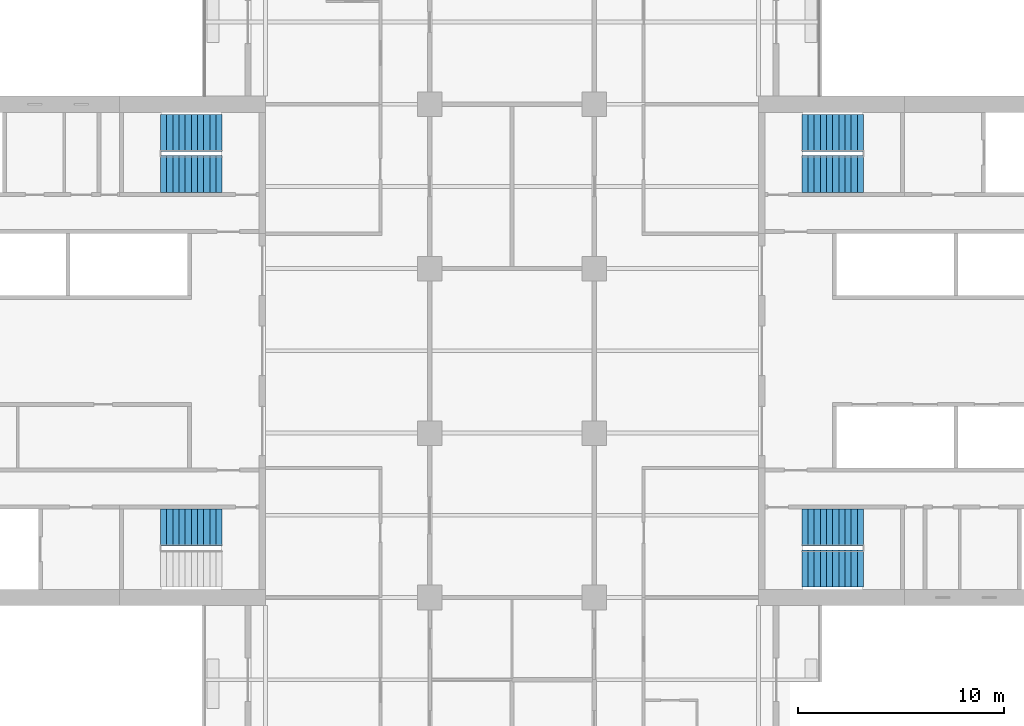
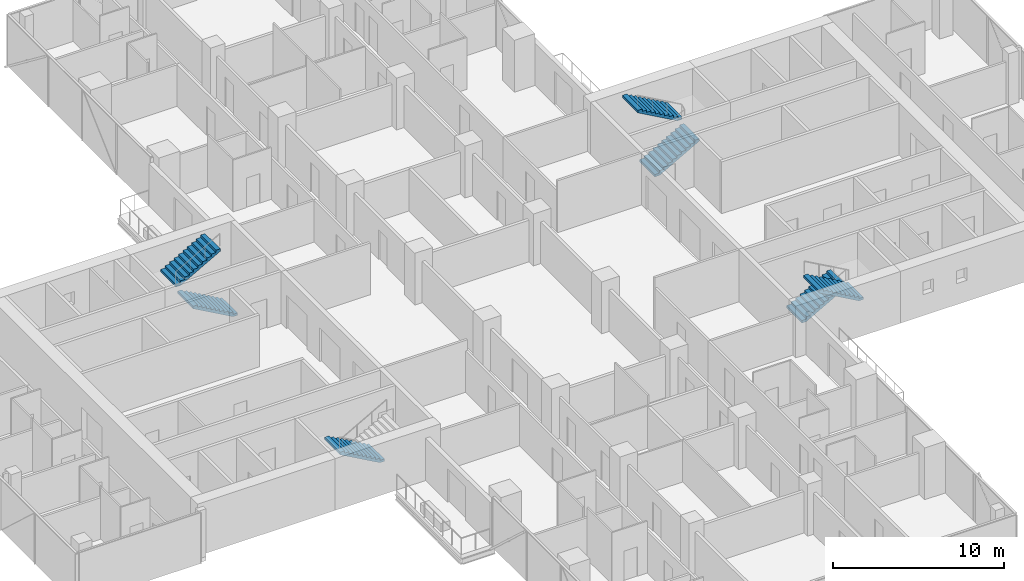
# One storey, part 22 of 27: 7 stair flights, 4 elements without a shape of their own.
"""IFC4 building model written with IfcOpenShell, lengths in metres."""

from ifc_helpers import new_model, si_unit, direction, frame, origin, place, context, subcontext, project, spatial, polyline, outline, extrude, material, type_object, element, aggregate, save


model = new_model("IFC4")

# Units and contexts
model_context = context("Model", 3, precision=1e-05, world=origin(), true_north=direction((0.0, 1.0)))
body_context = subcontext(model_context, "Body", "Model", "MODEL_VIEW")
ifc_project = project(units=[si_unit("LENGTHUNIT", "METRE"), si_unit("AREAUNIT", "SQUARE_METRE"), si_unit("VOLUMEUNIT", "CUBIC_METRE"), si_unit("PLANEANGLEUNIT", "RADIAN"), si_unit("MASSUNIT", "GRAM", prefix="KILO")], contexts=[model_context])

# Site, building, storey
site_placement = place(None, origin())
site = spatial("IfcSite", under=ifc_project, at=site_placement, CompositionType="ELEMENT")
building_placement = place(site_placement, origin())
building = spatial("IfcBuilding", under=site, at=building_placement, Name="Crosswind Convention Tower", CompositionType="ELEMENT")
storey_placement = place(building_placement, frame((0.0, 0.0, 75.699951171875)))
storey = spatial("IfcBuildingStorey", under=building, at=storey_placement, Name="L13", CompositionType="ELEMENT", Elevation=75.699951171875)

# Stair, stair flights
ifc_material = material(Name="Concrete C40/50", Category="concrete")
stair_type = type_object("IfcStairType", Name="Exit stair 1800 wide, 2 flights of 11 risers", PredefinedType="HALF_TURN_STAIR", material=ifc_material)
stair_1_placement = place(storey_placement, origin())
stair_1 = element("IfcStair", 1, at=stair_1_placement, inside=storey, type_object=stair_type, Name="Exit stair ST1 L13", ObjectType="ST5", PredefinedType="HALF_TURN_STAIR")
stair_flight_type = type_object("IfcStairFlightType", Name="Stair flight 1800 wide, 11 risers (SF3)", PredefinedType="STRAIGHT", material=ifc_material)
stair_flight_1_placement = place(storey_placement, frame((139.10009765625, 108.60009765625, 0.0), z_axis=(0.0, 0.0, 1.0), x_axis=(1.0, 0.0, 0.0)))
stair_flight_1 = element("IfcStairFlight", 2, at=stair_flight_1_placement, type_object=stair_flight_type, Name="ST1 flight 1", NumberOfRisers=11, NumberOfTreads=10, PredefinedType="STRAIGHT", RiserHeight=0.168181818, TreadLength=0.3, context=body_context, shape_type="SweptSolid", body=[
    extrude(outline(polyline([(0.0, 0.0), (0.0, 0.168212890625), (0.300048828125, 0.168212890625), (0.300048828125, 0.33642578125), (0.60009765625, 0.33642578125), (0.60009765625, 0.504638671875), (0.89990234375, 0.504638671875), (0.89990234375, 0.672607421875), (1.199951171875, 0.672607421875), (1.199951171875, 0.8408203125), (1.5, 0.8408203125), (1.5, 1.009033203125), (1.800048828125, 1.009033203125), (1.800048828125, 1.17724609375), (2.10009765625, 1.17724609375), (2.10009765625, 1.345458984375), (2.39990234375, 1.345458984375), (2.39990234375, 1.513671875), (2.699951171875, 1.513671875), (2.699951171875, 1.681884765625), (3.0, 1.681884765625), (3.0, 1.85009765625), (3.0, 1.510009765625), (0.306640625, 0.0), (0.0, 0.0)])), frame((0.0, 0.89990234375, 0.0), z_axis=(0.0, -1.0, 0.0), x_axis=(1.0, 0.0, 0.0)), (0.0, 0.0, 1.0), 1.800048828125),
])
stair_flight_2_placement = place(storey_placement, frame((142.10009765625, 110.60009765625, 1.85009765625), z_axis=(0.0, 0.0, 1.0), x_axis=(-1.0, 0.0, 0.0)))
stair_flight_2 = element("IfcStairFlight", 3, at=stair_flight_2_placement, type_object=stair_flight_type, Name="ST1 flight 2", NumberOfRisers=11, NumberOfTreads=10, PredefinedType="STRAIGHT", RiserHeight=0.168181818, TreadLength=0.3, context=body_context, shape_type="SweptSolid", body=[
    extrude(outline(polyline([(0.0, 0.0), (0.0, 0.168212890625), (0.300048828125, 0.168212890625), (0.300048828125, 0.33642578125), (0.60009765625, 0.33642578125), (0.60009765625, 0.504638671875), (0.89990234375, 0.504638671875), (0.89990234375, 0.672607421875), (1.199951171875, 0.672607421875), (1.199951171875, 0.8408203125), (1.5, 0.8408203125), (1.5, 1.009033203125), (1.800048828125, 1.009033203125), (1.800048828125, 1.17724609375), (2.10009765625, 1.17724609375), (2.10009765625, 1.345458984375), (2.39990234375, 1.345458984375), (2.39990234375, 1.513671875), (2.699951171875, 1.513671875), (2.699951171875, 1.681884765625), (3.0, 1.681884765625), (3.0, 1.85009765625), (3.0, 1.510009765625), (0.306640625, 0.0), (0.0, 0.0)])), frame((0.0, 0.89990234375, 0.0), z_axis=(0.0, -1.0, 0.0), x_axis=(1.0, 0.0, 0.0)), (0.0, 0.0, 1.0), 1.800048828125),
])
aggregate(stair_1, [stair_flight_1, stair_flight_2])

stair_2_placement = place(storey_placement, origin())
stair_2 = element("IfcStair", 4, at=stair_2_placement, inside=storey, type_object=stair_type, Name="Exit stair ST2 L13", ObjectType="ST5", PredefinedType="HALF_TURN_STAIR")
stair_flight_3_placement = place(storey_placement, frame((139.10009765625, 91.39990234375, 0.0), z_axis=(0.0, 0.0, 1.0), x_axis=(1.0, 0.0, 0.0)))
stair_flight_3 = element("IfcStairFlight", 5, at=stair_flight_3_placement, type_object=stair_flight_type, Name="ST2 flight 1", NumberOfRisers=11, NumberOfTreads=10, PredefinedType="STRAIGHT", RiserHeight=0.168181818, TreadLength=0.3, context=body_context, shape_type="SweptSolid", body=[
    extrude(outline(polyline([(0.0, 0.0), (0.0, 0.168212890625), (0.300048828125, 0.168212890625), (0.300048828125, 0.33642578125), (0.60009765625, 0.33642578125), (0.60009765625, 0.504638671875), (0.89990234375, 0.504638671875), (0.89990234375, 0.672607421875), (1.199951171875, 0.672607421875), (1.199951171875, 0.8408203125), (1.5, 0.8408203125), (1.5, 1.009033203125), (1.800048828125, 1.009033203125), (1.800048828125, 1.17724609375), (2.10009765625, 1.17724609375), (2.10009765625, 1.345458984375), (2.39990234375, 1.345458984375), (2.39990234375, 1.513671875), (2.699951171875, 1.513671875), (2.699951171875, 1.681884765625), (3.0, 1.681884765625), (3.0, 1.85009765625), (3.0, 1.510009765625), (0.306640625, 0.0), (0.0, 0.0)])), frame((0.0, 0.89990234375, 0.0), z_axis=(0.0, -1.0, 0.0), x_axis=(1.0, 0.0, 0.0)), (0.0, 0.0, 1.0), 1.800048828125),
])
stair_flight_4_placement = place(storey_placement, frame((142.10009765625, 89.39990234375, 1.85009765625), z_axis=(0.0, 0.0, 1.0), x_axis=(-1.0, 0.0, 0.0)))
stair_flight_4 = element("IfcStairFlight", 6, at=stair_flight_4_placement, type_object=stair_flight_type, Name="ST2 flight 2", NumberOfRisers=11, NumberOfTreads=10, PredefinedType="STRAIGHT", RiserHeight=0.168181818, TreadLength=0.3, context=body_context, shape_type="SweptSolid", body=[
    extrude(outline(polyline([(0.0, 0.0), (0.0, 0.168212890625), (0.300048828125, 0.168212890625), (0.300048828125, 0.33642578125), (0.60009765625, 0.33642578125), (0.60009765625, 0.504638671875), (0.89990234375, 0.504638671875), (0.89990234375, 0.672607421875), (1.199951171875, 0.672607421875), (1.199951171875, 0.8408203125), (1.5, 0.8408203125), (1.5, 1.009033203125), (1.800048828125, 1.009033203125), (1.800048828125, 1.17724609375), (2.10009765625, 1.17724609375), (2.10009765625, 1.345458984375), (2.39990234375, 1.345458984375), (2.39990234375, 1.513671875), (2.699951171875, 1.513671875), (2.699951171875, 1.681884765625), (3.0, 1.681884765625), (3.0, 1.85009765625), (3.0, 1.510009765625), (0.306640625, 0.0), (0.0, 0.0)])), frame((0.0, 0.89990234375, 0.0), z_axis=(0.0, -1.0, 0.0), x_axis=(1.0, 0.0, 0.0)), (0.0, 0.0, 1.0), 1.800048828125),
])
aggregate(stair_2, [stair_flight_3, stair_flight_4])

# Stair, stair flight
stair_3_placement = place(storey_placement, origin())
stair_3 = element("IfcStair", 7, at=stair_3_placement, inside=storey, type_object=stair_type, Name="Exit stair ST3 L13", ObjectType="ST5", PredefinedType="HALF_TURN_STAIR")
stair_flight_5_placement = place(storey_placement, frame((110.89990234375, 91.39990234375, 0.0), z_axis=(0.0, 0.0, 1.0), x_axis=(-1.0, 0.0, 0.0)))
stair_flight_5 = element("IfcStairFlight", 8, at=stair_flight_5_placement, type_object=stair_flight_type, Name="ST3 flight 1", NumberOfRisers=11, NumberOfTreads=10, PredefinedType="STRAIGHT", RiserHeight=0.168181818, TreadLength=0.3, context=body_context, shape_type="SweptSolid", body=[
    extrude(outline(polyline([(0.0, 0.0), (0.0, 0.168212890625), (0.300048828125, 0.168212890625), (0.300048828125, 0.33642578125), (0.60009765625, 0.33642578125), (0.60009765625, 0.504638671875), (0.89990234375, 0.504638671875), (0.89990234375, 0.672607421875), (1.199951171875, 0.672607421875), (1.199951171875, 0.8408203125), (1.5, 0.8408203125), (1.5, 1.009033203125), (1.800048828125, 1.009033203125), (1.800048828125, 1.17724609375), (2.10009765625, 1.17724609375), (2.10009765625, 1.345458984375), (2.39990234375, 1.345458984375), (2.39990234375, 1.513671875), (2.699951171875, 1.513671875), (2.699951171875, 1.681884765625), (3.0, 1.681884765625), (3.0, 1.85009765625), (3.0, 1.510009765625), (0.306640625, 0.0), (0.0, 0.0)])), frame((0.0, 0.89990234375, 0.0), z_axis=(0.0, -1.0, 0.0), x_axis=(1.0, 0.0, 0.0)), (0.0, 0.0, 1.0), 1.800048828125),
])
aggregate(stair_3, [stair_flight_5])

# Stair, stair flights
stair_4_placement = place(storey_placement, origin())
stair_4 = element("IfcStair", 9, at=stair_4_placement, inside=storey, type_object=stair_type, Name="Exit stair ST4 L13", ObjectType="ST5", PredefinedType="HALF_TURN_STAIR")
stair_flight_6_placement = place(storey_placement, frame((110.89990234375, 108.60009765625, 0.0), z_axis=(0.0, 0.0, 1.0), x_axis=(-1.0, 0.0, 0.0)))
stair_flight_6 = element("IfcStairFlight", 10, at=stair_flight_6_placement, type_object=stair_flight_type, Name="ST4 flight 1", NumberOfRisers=11, NumberOfTreads=10, PredefinedType="STRAIGHT", RiserHeight=0.168181818, TreadLength=0.3, context=body_context, shape_type="SweptSolid", body=[
    extrude(outline(polyline([(0.0, 0.0), (0.0, 0.168212890625), (0.300048828125, 0.168212890625), (0.300048828125, 0.33642578125), (0.60009765625, 0.33642578125), (0.60009765625, 0.504638671875), (0.89990234375, 0.504638671875), (0.89990234375, 0.672607421875), (1.199951171875, 0.672607421875), (1.199951171875, 0.8408203125), (1.5, 0.8408203125), (1.5, 1.009033203125), (1.800048828125, 1.009033203125), (1.800048828125, 1.17724609375), (2.10009765625, 1.17724609375), (2.10009765625, 1.345458984375), (2.39990234375, 1.345458984375), (2.39990234375, 1.513671875), (2.699951171875, 1.513671875), (2.699951171875, 1.681884765625), (3.0, 1.681884765625), (3.0, 1.85009765625), (3.0, 1.510009765625), (0.306640625, 0.0), (0.0, 0.0)])), frame((0.0, 0.89990234375, 0.0), z_axis=(0.0, -1.0, 0.0), x_axis=(1.0, 0.0, 0.0)), (0.0, 0.0, 1.0), 1.800048828125),
])
stair_flight_7_placement = place(storey_placement, frame((107.89990234375, 110.60009765625, 1.85009765625), z_axis=(0.0, 0.0, 1.0), x_axis=(1.0, 0.0, 0.0)))
stair_flight_7 = element("IfcStairFlight", 11, at=stair_flight_7_placement, type_object=stair_flight_type, Name="ST4 flight 2", NumberOfRisers=11, NumberOfTreads=10, PredefinedType="STRAIGHT", RiserHeight=0.168181818, TreadLength=0.3, context=body_context, shape_type="SweptSolid", body=[
    extrude(outline(polyline([(0.0, 0.0), (0.0, 0.168212890625), (0.300048828125, 0.168212890625), (0.300048828125, 0.33642578125), (0.60009765625, 0.33642578125), (0.60009765625, 0.504638671875), (0.89990234375, 0.504638671875), (0.89990234375, 0.672607421875), (1.199951171875, 0.672607421875), (1.199951171875, 0.8408203125), (1.5, 0.8408203125), (1.5, 1.009033203125), (1.800048828125, 1.009033203125), (1.800048828125, 1.17724609375), (2.10009765625, 1.17724609375), (2.10009765625, 1.345458984375), (2.39990234375, 1.345458984375), (2.39990234375, 1.513671875), (2.699951171875, 1.513671875), (2.699951171875, 1.681884765625), (3.0, 1.681884765625), (3.0, 1.85009765625), (3.0, 1.510009765625), (0.306640625, 0.0), (0.0, 0.0)])), frame((0.0, 0.89990234375, 0.0), z_axis=(0.0, -1.0, 0.0), x_axis=(1.0, 0.0, 0.0)), (0.0, 0.0, 1.0), 1.800048828125),
])
aggregate(stair_4, [stair_flight_6, stair_flight_7])

save(model, "model.ifc")
